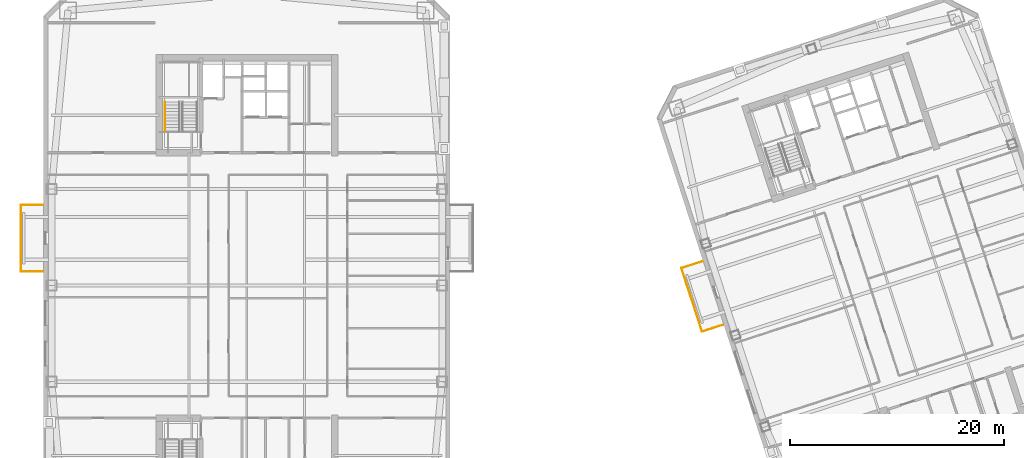
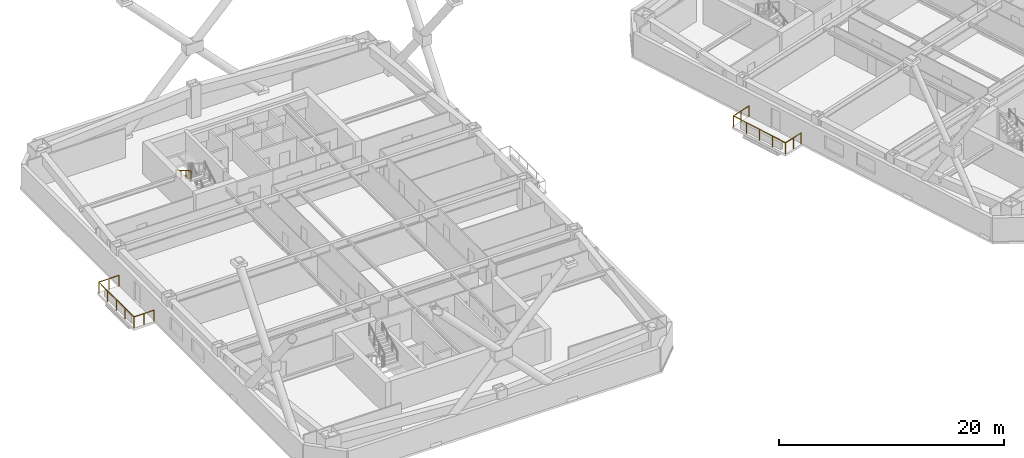
# One storey, part 14 of 17: 3 railings.
"""IFC4 building model written with IfcOpenShell, lengths in metres."""

from ifc_helpers import new_model, si_unit, direction, frame, origin, origin_2d, place, context, subcontext, project, spatial, circle, extrude, material, type_object, element, save


model = new_model("IFC4")

# Units and contexts
model_context = context("Model", 3, precision=1e-05, world=origin(), true_north=direction((0.0, 1.0)))
body_context = subcontext(model_context, "Body", "Model", "MODEL_VIEW")
ifc_project = project(units=[si_unit("LENGTHUNIT", "METRE"), si_unit("AREAUNIT", "SQUARE_METRE"), si_unit("VOLUMEUNIT", "CUBIC_METRE"), si_unit("PLANEANGLEUNIT", "RADIAN"), si_unit("MASSUNIT", "GRAM", prefix="KILO")], contexts=[model_context])

# Site, building, storey
site_placement = place(None, origin())
site = spatial("IfcSite", under=ifc_project, at=site_placement, CompositionType="ELEMENT")
building_placement = place(site_placement, origin())
building = spatial("IfcBuilding", under=site, at=building_placement, Name="Qiaolan Cultural Towers", CompositionType="ELEMENT")
storey_placement = place(building_placement, frame((0.0, 0.0, 134.550048828125)))
storey = spatial("IfcBuildingStorey", under=building, at=storey_placement, Name="L35", CompositionType="ELEMENT", Elevation=134.550048828125)

# Railings
ifc_material_1 = material(Name="Laminated SentryGlas & Stainless Steel S31608 Balustrade", Category="steel")
railing_type_1 = type_object("IfcRailingType", Name="GRD-TERR-1200", PredefinedType="BALUSTRADE", material=ifc_material_1)
railing_1_placement = place(storey_placement, frame((10.949951171875, 35.280029296875, 0.0)))
element("IfcRailing", 1, at=railing_1_placement, inside=storey, type_object=railing_type_1, Name="L35 T1 Tree Balcony Guardrail W", PredefinedType="BALUSTRADE", context=body_context, shape_type="SweptSolid", body=[
    extrude(circle(Radius=0.02392578125, at=origin_2d()), frame((0.0, 0.0, 1.17578125), z_axis=(-1.0, 0.0, 0.0), x_axis=(0.0, -1.0, 0.0)), (0.0, 0.0, 1.0), 2.070068359375),
    extrude(circle(Radius=0.02392578125, at=origin_2d()), frame((-2.070068359375, 0.0, 1.17578125), z_axis=(0.0, 1.0, 0.0), x_axis=(-1.0, 0.0, 0.0)), (0.0, 0.0, 1.0), 6.239990234375),
    extrude(circle(Radius=0.02392578125, at=origin_2d()), frame((-2.070068359375, 6.239990234375, 1.17578125), z_axis=(1.0, 0.0, 0.0), x_axis=(0.0, 1.0, 0.0)), (0.0, 0.0, 1.0), 2.070068359375),
    extrude(circle(Radius=0.02099609375, at=origin_2d()), origin(), (0.0, 0.0, 1.0), 1.15185546875),
    extrude(circle(Radius=0.02099609375, at=origin_2d()), frame((-1.03515625, 0.0, 0.0)), (0.0, 0.0, 1.0), 1.15185546875),
    extrude(circle(Radius=0.02099609375, at=origin_2d()), frame((-2.070068359375, 0.0, 0.0)), (0.0, 0.0, 1.0), 1.15185546875),
    extrude(circle(Radius=0.02099609375, at=origin_2d()), frame((-2.070068359375, 1.56005859375, 0.0)), (0.0, 0.0, 1.0), 1.15185546875),
    extrude(circle(Radius=0.02099609375, at=origin_2d()), frame((-2.070068359375, 3.1201171875, 0.0)), (0.0, 0.0, 1.0), 1.15185546875),
    extrude(circle(Radius=0.02099609375, at=origin_2d()), frame((-2.070068359375, 4.679931640625, 0.0)), (0.0, 0.0, 1.0), 1.15185546875),
    extrude(circle(Radius=0.02099609375, at=origin_2d()), frame((-2.070068359375, 6.239990234375, 0.0)), (0.0, 0.0, 1.0), 1.15185546875),
    extrude(circle(Radius=0.02099609375, at=origin_2d()), frame((-1.03515625, 6.239990234375, 0.0)), (0.0, 0.0, 1.0), 1.15185546875),
    extrude(circle(Radius=0.02099609375, at=origin_2d()), frame((0.0, 6.239990234375, 0.0)), (0.0, 0.0, 1.0), 1.15185546875),
])
railing_2_placement = place(storey_placement, frame((74.5302734375, 30.3193359375, 0.0)))
element("IfcRailing", 2, at=railing_2_placement, inside=storey, type_object=railing_type_1, Name="L35 T2 Tree Balcony Guardrail W", PredefinedType="BALUSTRADE", context=body_context, shape_type="SweptSolid", body=[
    extrude(circle(Radius=0.02392578125, at=origin_2d()), frame((0.0, 0.0, 1.17578125), z_axis=(-0.951061799618, -0.309000733507, 0.0), x_axis=(0.309000733507, -0.951061799618, 0.0)), (0.0, 0.0, 1.0), 2.070068359375),
    extrude(circle(Radius=0.02392578125, at=origin_2d()), frame((-1.96875, -0.6396484375, 1.17578125), z_axis=(-0.30901175762, 0.951058217804, 0.0), x_axis=(-0.951058217804, -0.30901175762, 0.0)), (0.0, 0.0, 1.0), 6.239990234375),
    extrude(circle(Radius=0.02392578125, at=origin_2d()), frame((-3.89697265625, 5.294921875, 1.17578125), z_axis=(0.951061799618, 0.309000733507, 0.0), x_axis=(-0.309000733507, 0.951061799618, 0.0)), (0.0, 0.0, 1.0), 2.070068359375),
    extrude(circle(Radius=0.02099609375, at=origin_2d()), origin(), (0.0, 0.0, 1.0), 1.15185546875),
    extrude(circle(Radius=0.02099609375, at=origin_2d()), frame((-0.984375, -0.31982421875, 0.0)), (0.0, 0.0, 1.0), 1.15185546875),
    extrude(circle(Radius=0.02099609375, at=origin_2d()), frame((-1.96875, -0.6396484375, 0.0)), (0.0, 0.0, 1.0), 1.15185546875),
    extrude(circle(Radius=0.02099609375, at=origin_2d()), frame((-2.45068359375, 0.843994140625, 0.0)), (0.0, 0.0, 1.0), 1.15185546875),
    extrude(circle(Radius=0.02099609375, at=origin_2d()), frame((-2.932861328125, 2.32763671875, 0.0)), (0.0, 0.0, 1.0), 1.15185546875),
    extrude(circle(Radius=0.02099609375, at=origin_2d()), frame((-3.4150390625, 3.811279296875, 0.0)), (0.0, 0.0, 1.0), 1.15185546875),
    extrude(circle(Radius=0.02099609375, at=origin_2d()), frame((-3.89697265625, 5.294921875, 0.0)), (0.0, 0.0, 1.0), 1.15185546875),
    extrude(circle(Radius=0.02099609375, at=origin_2d()), frame((-2.91259765625, 5.61474609375, 0.0)), (0.0, 0.0, 1.0), 1.15185546875),
    extrude(circle(Radius=0.02099609375, at=origin_2d()), frame((-1.92822265625, 5.9345703125, 0.0)), (0.0, 0.0, 1.0), 1.15185546875),
])
ifc_material_2 = material(Name="Stainless Steel S30408 Tubular Handrail", Category="steel")
railing_type_2 = type_object("IfcRailingType", Name="RL-STAIR-HR", PredefinedType="HANDRAIL", material=ifc_material_2)
railing_3_placement = place(storey_placement, frame((22.35009765625, 51.14990234375, 1.8974609375)))
element("IfcRailing", 3, at=railing_3_placement, inside=storey, type_object=railing_type_2, Name="L35 ST-W2 stair handrail 2", PredefinedType="HANDRAIL", context=body_context, shape_type="SweptSolid", body=[
    extrude(circle(Radius=0.02392578125, at=origin_2d()), frame((0.0, 0.0, 0.8759765625), z_axis=(0.0, -0.866903762492, 0.498475542607), x_axis=(1.0, 0.0, 0.0)), (0.0, 0.0, 1.0), 3.114501953125),
    extrude(circle(Radius=0.02099609375, at=origin_2d()), origin(), (0.0, 0.0, 1.0), 0.851806640625),
    extrude(circle(Radius=0.02099609375, at=origin_2d()), frame((0.0, -0.89990234375, 0.517578125)), (0.0, 0.0, 1.0), 0.851806640625),
    extrude(circle(Radius=0.02099609375, at=origin_2d()), frame((0.0, -1.800048828125, 1.034912109375)), (0.0, 0.0, 1.0), 0.851806640625),
    extrude(circle(Radius=0.02099609375, at=origin_2d()), frame((0.0, -2.699951171875, 1.552490234375)), (0.0, 0.0, 1.0), 0.851806640625),
])

save(model, "model.ifc")
